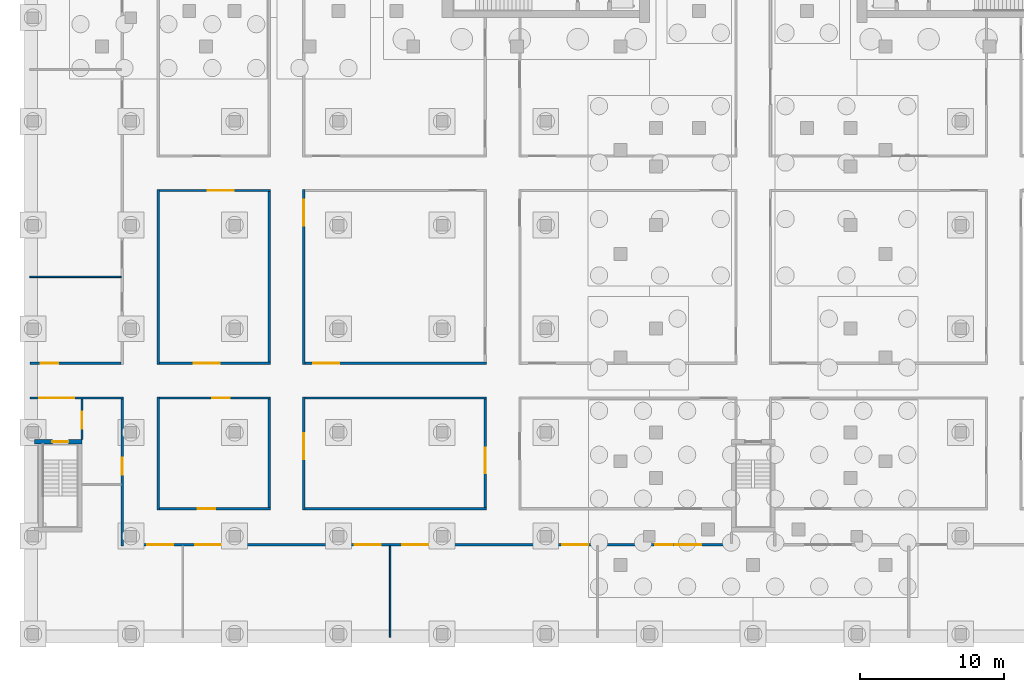
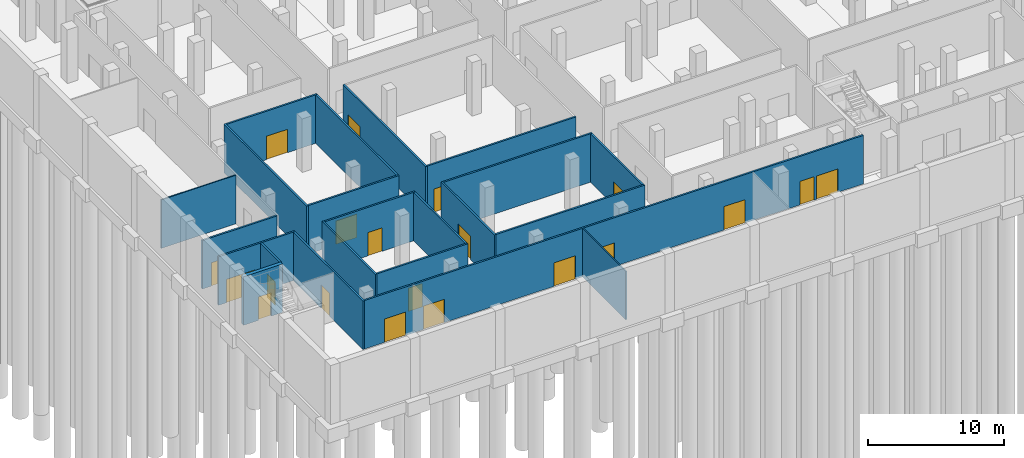
# One storey, part 6 of 54: 22 walls, 20 doors, 20 openings.
"""IFC4 building model written with IfcOpenShell, lengths in metres."""

import ifcopenshell
import ifcopenshell.guid

model = None  # the IFC model being written
_history = None  # IfcOwnerHistory: only IFC2X3 demands one
_inside = {}  # id of a spatial element -> (the spatial element, [elements in it])
_under = {}  # id of a project, library or spatial element -> (it, [spatial elements below it])
_declared = {}  # id of a project -> (the project, [libraries it declares])
_typed = {}  # id of a type object -> (the type object, [elements of that type])
_made_of = {}  # id of a material, layer set ... -> (it, [elements and type objects made of it])


def new_model(schema):
    """Start an empty IFC model of exactly this schema.

    Asked for "IFC4X3", IfcOpenShell would pick the latest addendum, in which some entities
    have other attributes; the version numbers below select the first issue.
    IFC2X3 requires an IfcOwnerHistory on every rooted entity: one is made here for all.
    """
    global model, _history
    if schema == "IFC4X3":
        model = ifcopenshell.file(schema_version=(4, 3, 0, 0))
    else:
        model = ifcopenshell.file(schema=schema)
    _inside.clear()
    _under.clear()
    _declared.clear()
    _typed.clear()
    _made_of.clear()
    _history = None
    if model.schema == "IFC2X3":
        org = make("IfcOrganization", Name="unknown")
        user = make(
            "IfcPersonAndOrganization",
            ThePerson=make("IfcPerson", FamilyName="unknown"),
            TheOrganization=org,
        )
        app = make(
            "IfcApplication",
            ApplicationDeveloper=org,
            Version="unknown",
            ApplicationFullName="unknown",
            ApplicationIdentifier="unknown",
        )
        _history = make(
            "IfcOwnerHistory",
            OwningUser=user,
            OwningApplication=app,
            ChangeAction="ADDED",
            CreationDate=0,
        )
    return model


def make(cls, **values):
    """One entity of the class cls with the attributes given. An attribute that is None is left unset."""
    return model.create_entity(
        cls, **{name: value for name, value in values.items() if value is not None}
    )


def rooted(cls, **values):
    """An entity with a GlobalId (a new one), such as an element, a storey or a relation."""
    return make(cls, GlobalId=ifcopenshell.guid.new(), OwnerHistory=_history, **values)


def si_unit(unit_type, name, prefix=None):
    """IfcSIUnit, for example si_unit("LENGTHUNIT", "METRE", prefix="MILLI")."""
    return make("IfcSIUnit", UnitType=unit_type, Prefix=prefix, Name=name)


def assignment(units):
    """IfcUnitAssignment: the units of a project."""
    return None if units is None else make("IfcUnitAssignment", Units=units)


def point(xyz):
    """IfcCartesianPoint."""
    return None if xyz is None else make("IfcCartesianPoint", Coordinates=xyz)


def direction(xyz):
    """IfcDirection."""
    return None if xyz is None else make("IfcDirection", DirectionRatios=xyz)


def frame(location, z_axis=None, x_axis=None):
    """IfcAxis2Placement3D, a coordinate frame: its origin and axes. An axis left out is left unset."""
    return make(
        "IfcAxis2Placement3D",
        Location=point(location),
        Axis=direction(z_axis),
        RefDirection=direction(x_axis),
    )


def frame_2d(location, x_axis=None):
    """IfcAxis2Placement2D, a coordinate frame in the plane: its origin and x axis."""
    return make(
        "IfcAxis2Placement2D", Location=point(location), RefDirection=direction(x_axis)
    )


def origin():
    """The frame at (0, 0, 0) with its axes left unset."""
    return frame((0.0, 0.0, 0.0))


def place(relative_to, where):
    """IfcLocalPlacement: puts the frame where relative to a parent placement (None: the world)."""
    return make(
        "IfcLocalPlacement", PlacementRelTo=relative_to, RelativePlacement=where
    )


def context(
    kind, dimensions, precision=None, world=None, true_north=None, identifier=None
):
    """IfcGeometricRepresentationContext, for example the 3D "Model" context."""
    return make(
        "IfcGeometricRepresentationContext",
        ContextIdentifier=identifier,
        ContextType=kind,
        CoordinateSpaceDimension=dimensions,
        Precision=precision,
        WorldCoordinateSystem=world,
        TrueNorth=true_north,
    )


def subcontext(parent, identifier, kind, view, scale=None):
    """IfcGeometricRepresentationSubContext, for example "Body" below "Model"."""
    return make(
        "IfcGeometricRepresentationSubContext",
        ContextIdentifier=identifier,
        ContextType=kind,
        ParentContext=parent,
        TargetScale=scale,
        TargetView=view,
    )


def project(units=None, contexts=None):
    """IfcProject with its units and contexts."""
    return rooted(
        "IfcProject",
        Name="project",
        RepresentationContexts=contexts,
        UnitsInContext=assignment(units),
    )


def spatial(cls, under=None, at=None, **own):
    """A site, building, storey or space (cls), placed at a placement, below another one or the project."""
    s = rooted(cls, ObjectPlacement=at, **own)
    if under is not None:
        _under.setdefault(under.id(), (under, []))[1].append(s)
    return s


def profile(cls, at=None, kind="AREA", **sizes):
    """A parametric profile (cls). Its sizes go by their IFC names, for example OverallWidth=200.0."""
    return make(cls, ProfileType=kind, Position=at, **sizes)


def rectangle(**sizes):
    """IfcRectangleProfileDef."""
    return profile("IfcRectangleProfileDef", **sizes)


def extrude(swept, where, along, depth):
    """IfcExtrudedAreaSolid: the profile swept, set in the frame where, extruded along a direction by depth."""
    return make(
        "IfcExtrudedAreaSolid",
        SweptArea=swept,
        Position=where,
        ExtrudedDirection=direction(along),
        Depth=depth,
    )


def shape(context_of_items, identifier, shape_type, items):
    """IfcShapeRepresentation: the items that make up one representation, for example the "Body"."""
    return make(
        "IfcShapeRepresentation",
        ContextOfItems=context_of_items,
        RepresentationIdentifier=identifier,
        RepresentationType=shape_type,
        Items=items,
    )


def material(Name=None, Category=None):
    """IfcMaterial."""
    return make("IfcMaterial", Name=Name, Category=Category)


def layer(
    of_material, thickness, ventilated=None, Name=None, Category=None, Priority=None
):
    """IfcMaterialLayer: one layer of a wall or slab, of a material (None: an air gap)."""
    return make(
        "IfcMaterialLayer",
        Material=of_material,
        LayerThickness=thickness,
        IsVentilated=ventilated,
        Name=Name,
        Category=Category,
        Priority=Priority,
    )


def layer_set(layers, Name=None):
    """IfcMaterialLayerSet."""
    return make("IfcMaterialLayerSet", MaterialLayers=layers, LayerSetName=Name)


def made_of(thing, what):
    """Note that an element or type object is made of a material, layer set ...; save() writes the relation."""
    if what is not None:
        _made_of.setdefault(what.id(), (what, []))[1].append(thing)
    return thing


def type_object(cls, material=None, **own):
    """A type object (cls), such as IfcWallType, which elements share."""
    return made_of(rooted(cls, **own), material)


def element(
    cls,
    number,
    at=None,
    inside=None,
    cuts=None,
    type_object=None,
    material=None,
    context=None,
    identifier="Body",
    shape_type=None,
    held_by="IfcProductDefinitionShape",
    body=None,
    shapes=None,
    **own,
):
    """One element of the class cls, such as IfcWall. Its Tag is "e" and its number.

    at: its placement. inside: the storey or other place that contains it. cuts: it is an
    opening in that element (IfcRelVoidsElement). A single representation is given by context,
    identifier, shape_type and body (its items); several are given by shapes. held_by: the class
    of the entity that holds the representations. save() writes the other relations.
    """
    e = rooted(cls, Tag="e%d" % number, ObjectPlacement=at, **own)
    if body is not None:
        shapes = [shape(context, identifier, shape_type, body)]
    if shapes is not None:
        e.Representation = make(held_by, Representations=shapes)
    if inside is not None:
        _inside.setdefault(inside.id(), (inside, []))[1].append(e)
    if cuts is not None:
        rooted(
            "IfcRelVoidsElement", RelatingBuildingElement=cuts, RelatedOpeningElement=e
        )
    if type_object is not None:
        _typed.setdefault(type_object.id(), (type_object, []))[1].append(e)
    return made_of(e, material)


def fill(opening, filler):
    """IfcRelFillsElement: the door or window that sits in an opening."""
    return rooted(
        "IfcRelFillsElement",
        RelatingOpeningElement=opening,
        RelatedBuildingElement=filler,
    )


def aggregate(whole, parts):
    """IfcRelAggregates: a whole, such as a stair, and the parts it consists of."""
    return rooted("IfcRelAggregates", RelatingObject=whole, RelatedObjects=parts)


def save(model, path):
    """Write the relations noted so far, then the file.

    IfcRelAggregates (storeys below a building ...), IfcRelContainedInSpatialStructure (elements
    in a storey), IfcRelDefinesByType, IfcRelAssociatesMaterial and IfcRelDeclares: one each for
    every whole, place, type object, material and project.
    """
    for whole, parts in _under.values():
        aggregate(whole, parts)
    for where, things in _inside.values():
        rooted(
            "IfcRelContainedInSpatialStructure",
            RelatedElements=things,
            RelatingStructure=where,
        )
    for kind, things in _typed.values():
        rooted("IfcRelDefinesByType", RelatedObjects=things, RelatingType=kind)
    for what, things in _made_of.values():
        rooted("IfcRelAssociatesMaterial", RelatedObjects=things, RelatingMaterial=what)
    for by, libraries in _declared.values():
        rooted("IfcRelDeclares", RelatingContext=by, RelatedDefinitions=libraries)
    model.write(path)


model = new_model("IFC4")

# Units and contexts
model_context = context("Model", 3, precision=1e-05, world=origin(), true_north=direction((0.0, 1.0)))
body_context = subcontext(model_context, "Body", "Model", "MODEL_VIEW")
ifc_project = project(units=[si_unit("LENGTHUNIT", "METRE"), si_unit("AREAUNIT", "SQUARE_METRE"), si_unit("VOLUMEUNIT", "CUBIC_METRE"), si_unit("PLANEANGLEUNIT", "RADIAN"), si_unit("MASSUNIT", "GRAM", prefix="KILO")], contexts=[model_context])

# Site, building, storey
site_placement = place(None, origin())
site = spatial("IfcSite", under=ifc_project, at=site_placement, CompositionType="ELEMENT")
building_placement = place(site_placement, origin())
building = spatial("IfcBuilding", under=site, at=building_placement, Name="Fustian Cross Tower", CompositionType="ELEMENT")
storey_placement = place(building_placement, frame((0.0, 0.0, -4.800048828125)))
storey = spatial("IfcBuildingStorey", under=building, at=storey_placement, Name="B1", CompositionType="ELEMENT", Elevation=-4.800048828125)

# Wall, opening, door
ifc_material_1 = material(Name="Plasterboard on steel stud", Category="steel")
ifc_layer_1 = layer(ifc_material_1, 0.14990234375)
ifc_layer_set_1 = layer_set([ifc_layer_1], Name="Plasterboard on steel stud")
wall_type_1 = type_object("IfcWallType", Name="COMPARTMENT WALL 150 EI 60", PredefinedType="PARTITIONING", material=ifc_layer_set_1)
wall_1_placement = place(storey_placement, frame((-50.219970703125, -33.60009765625, 0.0), z_axis=(0.0, 0.0, 1.0), x_axis=(1.0, 0.0, 0.0)))
wall_1 = element("IfcWall", 1, at=wall_1_placement, inside=storey, type_object=wall_type_1, Name="Partition 1", PredefinedType="PARTITIONING", context=body_context, shape_type="SweptSolid", body=[
    extrude(rectangle(XDim=6.494873046875, YDim=0.14990234375, at=frame_2d((3.24755859375, 0.0))), origin(), (0.0, 0.0, 1.0), 4.35009765625),
])
opening_1_placement = place(wall_1_placement, frame((0.669921875, 0.0, 0.0)))
opening_1 = element("IfcOpeningElement", 2, at=opening_1_placement, cuts=wall_1, Name="Opening D01045", PredefinedType="OPENING", context=body_context, shape_type="SweptSolid", body=[
    extrude(rectangle(XDim=2.39990234375, YDim=2.10009765625, at=frame_2d((1.199951171875, 1.050048828125))), frame((0.0, 0.0849609375, 0.0), z_axis=(0.0, -1.0, 0.0), x_axis=(1.0, 0.0, 0.0)), (0.0, 0.0, 1.0), 0.169921875),
])
ifc_material_2 = material(Name="Timber fire door set", Category="wood")
door_type_1 = type_object("IfcDoorType", Name="FIRE DOUBLE DOOR 2400 FD30S", OperationType="DOUBLE_DOOR_DOUBLE_SWING", PredefinedType="DOOR", material=ifc_material_2)
door_1_placement = place(opening_1_placement, frame((2.39990234375, 0.0, 0.0), z_axis=(0.0, 0.0, 1.0), x_axis=(-1.0, 0.0, 0.0)))
door_1 = element("IfcDoor", 3, at=door_1_placement, inside=storey, type_object=door_type_1, Name="Door D01045", OperationType="DOUBLE_DOOR_DOUBLE_SWING", OverallHeight=2.10009765625, OverallWidth=2.39990234375, PredefinedType="DOOR", context=body_context, shape_type="SweptSolid", body=[
    extrude(rectangle(XDim=2.39990234375, YDim=2.10009765625, at=frame_2d((1.199951171875, 1.050048828125))), frame((0.0, 0.02490234375, 0.0), z_axis=(0.0, -1.0, 0.0), x_axis=(1.0, 0.0, 0.0)), (0.0, 0.0, 1.0), 0.050048828125),
])
fill(opening_1, door_1)

wall_2_placement = place(storey_placement, frame((-50.219970703125, -31.199951171875, 0.0), z_axis=(0.0, 0.0, 1.0), x_axis=(1.0, 0.0, 0.0)))
wall_2 = element("IfcWall", 4, at=wall_2_placement, inside=storey, type_object=wall_type_1, Name="Partition 2", PredefinedType="PARTITIONING", context=body_context, shape_type="SweptSolid", body=[
    extrude(rectangle(XDim=6.344970703125, YDim=0.14990234375, at=frame_2d((3.17236328125, 0.0))), origin(), (0.0, 0.0, 1.0), 4.35009765625),
])
opening_2_placement = place(wall_2_placement, frame((0.77001953125, 0.0, 0.0)))
opening_2 = element("IfcOpeningElement", 5, at=opening_2_placement, cuts=wall_2, Name="Opening D01007", PredefinedType="OPENING", context=body_context, shape_type="SweptSolid", body=[
    extrude(rectangle(XDim=1.199951171875, YDim=2.10009765625, at=frame_2d((0.60009765625, 1.050048828125))), frame((0.0, 0.0849609375, 0.0), z_axis=(0.0, -1.0, 0.0), x_axis=(1.0, 0.0, 0.0)), (0.0, 0.0, 1.0), 0.169921875),
])
ifc_material_3 = material(Name="Timber fire door set", Category="wood")
door_type_2 = type_object("IfcDoorType", Name="FIRE SWING DOOR 1200 FD30S", OperationType="SINGLE_SWING_LEFT", PredefinedType="DOOR", material=ifc_material_3)
door_2_placement = place(opening_2_placement, origin())
door_2 = element("IfcDoor", 6, at=door_2_placement, inside=storey, type_object=door_type_2, Name="Door D01007", OperationType="SINGLE_SWING_LEFT", OverallHeight=2.10009765625, OverallWidth=1.199951171875, PredefinedType="DOOR", context=body_context, shape_type="SweptSolid", body=[
    extrude(rectangle(XDim=1.199951171875, YDim=2.10009765625, at=frame_2d((0.60009765625, 1.050048828125))), frame((0.0, 0.02490234375, 0.0), z_axis=(0.0, -1.0, 0.0), x_axis=(1.0, 0.0, 0.0)), (0.0, 0.0, 1.0), 0.050048828125),
])
fill(opening_2, door_2)

wall_3_placement = place(storey_placement, frame((-46.60009765625, -36.5, 0.0), z_axis=(0.0, 0.0, 1.0), x_axis=(0.0, 1.0, 0.0)))
wall_3 = element("IfcWall", 7, at=wall_3_placement, inside=storey, type_object=wall_type_1, Name="Partition 10", PredefinedType="PARTITIONING", context=body_context, shape_type="SweptSolid", body=[
    extrude(rectangle(XDim=2.824951171875, YDim=0.14990234375, at=frame_2d((1.41259765625, 0.0))), origin(), (0.0, 0.0, 1.0), 4.35009765625),
])
opening_3_placement = place(wall_3_placement, frame((0.75, 0.0, 0.0)))
opening_3 = element("IfcOpeningElement", 8, at=opening_3_placement, cuts=wall_3, Name="Opening D01011", PredefinedType="OPENING", context=body_context, shape_type="SweptSolid", body=[
    extrude(rectangle(XDim=1.199951171875, YDim=2.10009765625, at=frame_2d((0.60009765625, 1.050048828125))), frame((0.0, 0.0849609375, 0.0), z_axis=(0.0, -1.0, 0.0), x_axis=(1.0, 0.0, 0.0)), (0.0, 0.0, 1.0), 0.169921875),
])
door_3_placement = place(opening_3_placement, frame((1.199951171875, 0.0, 0.0), z_axis=(0.0, 0.0, 1.0), x_axis=(-1.0, 0.0, 0.0)))
door_3 = element("IfcDoor", 9, at=door_3_placement, inside=storey, type_object=door_type_2, Name="Door D01011", OperationType="SINGLE_SWING_LEFT", OverallHeight=2.10009765625, OverallWidth=1.199951171875, PredefinedType="DOOR", context=body_context, shape_type="SweptSolid", body=[
    extrude(rectangle(XDim=1.199951171875, YDim=2.10009765625, at=frame_2d((0.60009765625, 1.050048828125))), frame((0.0, 0.02490234375, 0.0), z_axis=(0.0, -1.0, 0.0), x_axis=(1.0, 0.0, 0.0)), (0.0, 0.0, 1.0), 0.050048828125),
])
fill(opening_3, door_3)

wall_4_placement = place(storey_placement, frame((-43.800048828125, -43.875, 0.0), z_axis=(0.0, 0.0, 1.0), x_axis=(0.0, 1.0, 0.0)))
wall_4 = element("IfcWall", 10, at=wall_4_placement, inside=storey, type_object=wall_type_1, Name="Partition 13", PredefinedType="PARTITIONING", context=body_context, shape_type="SweptSolid", body=[
    extrude(rectangle(XDim=10.199951171875, YDim=0.14990234375, at=frame_2d((5.10009765625, 0.0))), origin(), (0.0, 0.0, 1.0), 4.35009765625),
])
opening_4_placement = place(wall_4_placement, frame((4.925048828125, 0.0, 0.0)))
opening_4 = element("IfcOpeningElement", 11, at=opening_4_placement, cuts=wall_4, Name="Opening D01012", PredefinedType="OPENING", context=body_context, shape_type="SweptSolid", body=[
    extrude(rectangle(XDim=1.199951171875, YDim=2.10009765625, at=frame_2d((0.60009765625, 1.050048828125))), frame((0.0, 0.0849609375, 0.0), z_axis=(0.0, -1.0, 0.0), x_axis=(1.0, 0.0, 0.0)), (0.0, 0.0, 1.0), 0.169921875),
])
door_4_placement = place(opening_4_placement, origin())
door_4 = element("IfcDoor", 12, at=door_4_placement, inside=storey, type_object=door_type_2, Name="Door D01012", OperationType="SINGLE_SWING_LEFT", OverallHeight=2.10009765625, OverallWidth=1.199951171875, PredefinedType="DOOR", context=body_context, shape_type="SweptSolid", body=[
    extrude(rectangle(XDim=1.199951171875, YDim=2.10009765625, at=frame_2d((0.60009765625, 1.050048828125))), frame((0.0, 0.02490234375, 0.0), z_axis=(0.0, -1.0, 0.0), x_axis=(1.0, 0.0, 0.0)), (0.0, 0.0, 1.0), 0.050048828125),
])
fill(opening_4, door_4)

# Wall, openings, doors
wall_5_placement = place(storey_placement, frame((-43.72509765625, -43.800048828125, 0.0), z_axis=(0.0, 0.0, 1.0), x_axis=(1.0, 0.0, 0.0)))
wall_5 = element("IfcWall", 13, at=wall_5_placement, inside=storey, type_object=wall_type_1, Name="Partition 14", PredefinedType="PARTITIONING", context=body_context, shape_type="SweptSolid", body=[
    extrude(rectangle(XDim=42.300048828125, YDim=0.14990234375, at=frame_2d((21.14990234375, 0.0))), origin(), (0.0, 0.0, 1.0), 4.35009765625),
])
opening_5_placement = place(wall_5_placement, frame((1.675048828125, 0.0, 0.0)))
opening_5 = element("IfcOpeningElement", 14, at=opening_5_placement, cuts=wall_5, Name="Opening D01028", PredefinedType="OPENING", context=body_context, shape_type="SweptSolid", body=[
    extrude(rectangle(XDim=1.800048828125, YDim=2.10009765625, at=frame_2d((0.89990234375, 1.050048828125))), frame((0.0, 0.0849609375, 0.0), z_axis=(0.0, -1.0, 0.0), x_axis=(1.0, 0.0, 0.0)), (0.0, 0.0, 1.0), 0.169921875),
])
opening_6_placement = place(wall_5_placement, frame((4.97509765625, 0.0, 0.0)))
opening_6 = element("IfcOpeningElement", 15, at=opening_6_placement, cuts=wall_5, Name="Opening D01030", PredefinedType="OPENING", context=body_context, shape_type="SweptSolid", body=[
    extrude(rectangle(XDim=1.800048828125, YDim=2.10009765625, at=frame_2d((0.89990234375, 1.050048828125))), frame((0.0, 0.0849609375, 0.0), z_axis=(0.0, -1.0, 0.0), x_axis=(1.0, 0.0, 0.0)), (0.0, 0.0, 1.0), 0.169921875),
])
opening_7_placement = place(wall_5_placement, frame((16.074951171875, 0.0, 0.0)))
opening_7 = element("IfcOpeningElement", 16, at=opening_7_placement, cuts=wall_5, Name="Opening D01031", PredefinedType="OPENING", context=body_context, shape_type="SweptSolid", body=[
    extrude(rectangle(XDim=1.800048828125, YDim=2.10009765625, at=frame_2d((0.89990234375, 1.050048828125))), frame((0.0, 0.0849609375, 0.0), z_axis=(0.0, -1.0, 0.0), x_axis=(1.0, 0.0, 0.0)), (0.0, 0.0, 1.0), 0.169921875),
])
opening_8_placement = place(wall_5_placement, frame((19.375, 0.0, 0.0)))
opening_8 = element("IfcOpeningElement", 17, at=opening_8_placement, cuts=wall_5, Name="Opening D01032", PredefinedType="OPENING", context=body_context, shape_type="SweptSolid", body=[
    extrude(rectangle(XDim=1.800048828125, YDim=2.10009765625, at=frame_2d((0.89990234375, 1.050048828125))), frame((0.0, 0.0849609375, 0.0), z_axis=(0.0, -1.0, 0.0), x_axis=(1.0, 0.0, 0.0)), (0.0, 0.0, 1.0), 0.169921875),
])
opening_9_placement = place(wall_5_placement, frame((30.47509765625, 0.0, 0.0)))
opening_9 = element("IfcOpeningElement", 18, at=opening_9_placement, cuts=wall_5, Name="Opening D01033", PredefinedType="OPENING", context=body_context, shape_type="SweptSolid", body=[
    extrude(rectangle(XDim=1.800048828125, YDim=2.10009765625, at=frame_2d((0.89990234375, 1.050048828125))), frame((0.0, 0.0849609375, 0.0), z_axis=(0.0, -1.0, 0.0), x_axis=(1.0, 0.0, 0.0)), (0.0, 0.0, 1.0), 0.169921875),
])
opening_10_placement = place(wall_5_placement, frame((36.925048828125, 0.0, 0.0)))
opening_10 = element("IfcOpeningElement", 19, at=opening_10_placement, cuts=wall_5, Name="Opening D01034", PredefinedType="OPENING", context=body_context, shape_type="SweptSolid", body=[
    extrude(rectangle(XDim=1.199951171875, YDim=2.10009765625, at=frame_2d((0.60009765625, 1.050048828125))), frame((0.0, 0.0849609375, 0.0), z_axis=(0.0, -1.0, 0.0), x_axis=(1.0, 0.0, 0.0)), (0.0, 0.0, 1.0), 0.169921875),
])
opening_11_placement = place(wall_5_placement, frame((38.324951171875, 0.0, 0.0)))
opening_11 = element("IfcOpeningElement", 20, at=opening_11_placement, cuts=wall_5, Name="Opening D01035", PredefinedType="OPENING", context=body_context, shape_type="SweptSolid", body=[
    extrude(rectangle(XDim=1.800048828125, YDim=2.10009765625, at=frame_2d((0.89990234375, 1.050048828125))), frame((0.0, 0.0849609375, 0.0), z_axis=(0.0, -1.0, 0.0), x_axis=(1.0, 0.0, 0.0)), (0.0, 0.0, 1.0), 0.169921875),
])
ifc_material_4 = material(Name="Timber fire door set", Category="wood")
door_type_3 = type_object("IfcDoorType", Name="FIRE DOUBLE DOOR 1800 FD30S", OperationType="DOUBLE_DOOR_DOUBLE_SWING", PredefinedType="DOOR", material=ifc_material_4)
door_5_placement = place(opening_5_placement, origin())
door_5 = element("IfcDoor", 21, at=door_5_placement, inside=storey, type_object=door_type_3, Name="Door D01028", OperationType="DOUBLE_DOOR_DOUBLE_SWING", OverallHeight=2.10009765625, OverallWidth=1.800048828125, PredefinedType="DOOR", context=body_context, shape_type="SweptSolid", body=[
    extrude(rectangle(XDim=1.800048828125, YDim=2.10009765625, at=frame_2d((0.89990234375, 1.050048828125))), frame((0.0, 0.02490234375, 0.0), z_axis=(0.0, -1.0, 0.0), x_axis=(1.0, 0.0, 0.0)), (0.0, 0.0, 1.0), 0.050048828125),
])
fill(opening_5, door_5)
door_6_placement = place(opening_6_placement, origin())
door_6 = element("IfcDoor", 22, at=door_6_placement, inside=storey, type_object=door_type_3, Name="Door D01030", OperationType="DOUBLE_DOOR_DOUBLE_SWING", OverallHeight=2.10009765625, OverallWidth=1.800048828125, PredefinedType="DOOR", context=body_context, shape_type="SweptSolid", body=[
    extrude(rectangle(XDim=1.800048828125, YDim=2.10009765625, at=frame_2d((0.89990234375, 1.050048828125))), frame((0.0, 0.02490234375, 0.0), z_axis=(0.0, -1.0, 0.0), x_axis=(1.0, 0.0, 0.0)), (0.0, 0.0, 1.0), 0.050048828125),
])
fill(opening_6, door_6)
door_7_placement = place(opening_7_placement, origin())
door_7 = element("IfcDoor", 23, at=door_7_placement, inside=storey, type_object=door_type_3, Name="Door D01031", OperationType="DOUBLE_DOOR_DOUBLE_SWING", OverallHeight=2.10009765625, OverallWidth=1.800048828125, PredefinedType="DOOR", context=body_context, shape_type="SweptSolid", body=[
    extrude(rectangle(XDim=1.800048828125, YDim=2.10009765625, at=frame_2d((0.89990234375, 1.050048828125))), frame((0.0, 0.02490234375, 0.0), z_axis=(0.0, -1.0, 0.0), x_axis=(1.0, 0.0, 0.0)), (0.0, 0.0, 1.0), 0.050048828125),
])
fill(opening_7, door_7)
door_8_placement = place(opening_8_placement, origin())
door_8 = element("IfcDoor", 24, at=door_8_placement, inside=storey, type_object=door_type_3, Name="Door D01032", OperationType="DOUBLE_DOOR_DOUBLE_SWING", OverallHeight=2.10009765625, OverallWidth=1.800048828125, PredefinedType="DOOR", context=body_context, shape_type="SweptSolid", body=[
    extrude(rectangle(XDim=1.800048828125, YDim=2.10009765625, at=frame_2d((0.89990234375, 1.050048828125))), frame((0.0, 0.02490234375, 0.0), z_axis=(0.0, -1.0, 0.0), x_axis=(1.0, 0.0, 0.0)), (0.0, 0.0, 1.0), 0.050048828125),
])
fill(opening_8, door_8)
door_9_placement = place(opening_9_placement, origin())
door_9 = element("IfcDoor", 25, at=door_9_placement, inside=storey, type_object=door_type_3, Name="Door D01033", OperationType="DOUBLE_DOOR_DOUBLE_SWING", OverallHeight=2.10009765625, OverallWidth=1.800048828125, PredefinedType="DOOR", context=body_context, shape_type="SweptSolid", body=[
    extrude(rectangle(XDim=1.800048828125, YDim=2.10009765625, at=frame_2d((0.89990234375, 1.050048828125))), frame((0.0, 0.02490234375, 0.0), z_axis=(0.0, -1.0, 0.0), x_axis=(1.0, 0.0, 0.0)), (0.0, 0.0, 1.0), 0.050048828125),
])
fill(opening_9, door_9)
door_10_placement = place(opening_11_placement, origin())
door_10 = element("IfcDoor", 26, at=door_10_placement, inside=storey, type_object=door_type_3, Name="Door D01035", OperationType="DOUBLE_DOOR_DOUBLE_SWING", OverallHeight=2.10009765625, OverallWidth=1.800048828125, PredefinedType="DOOR", context=body_context, shape_type="SweptSolid", body=[
    extrude(rectangle(XDim=1.800048828125, YDim=2.10009765625, at=frame_2d((0.89990234375, 1.050048828125))), frame((0.0, 0.02490234375, 0.0), z_axis=(0.0, -1.0, 0.0), x_axis=(1.0, 0.0, 0.0)), (0.0, 0.0, 1.0), 0.050048828125),
])
fill(opening_11, door_10)
door_11_placement = place(opening_10_placement, frame((1.199951171875, 0.0, 0.0), z_axis=(0.0, 0.0, 1.0), x_axis=(-1.0, 0.0, 0.0)))
door_11 = element("IfcDoor", 27, at=door_11_placement, inside=storey, type_object=door_type_2, Name="Door D01034", OperationType="SINGLE_SWING_RIGHT", OverallHeight=2.10009765625, OverallWidth=1.199951171875, PredefinedType="DOOR", context=body_context, shape_type="SweptSolid", body=[
    extrude(rectangle(XDim=1.199951171875, YDim=2.10009765625, at=frame_2d((0.60009765625, 1.050048828125))), frame((0.0, 0.02490234375, 0.0), z_axis=(0.0, -1.0, 0.0), x_axis=(1.0, 0.0, 0.0)), (0.0, 0.0, 1.0), 0.050048828125),
])
fill(opening_10, door_11)

# Wall
wall_6_placement = place(storey_placement, frame((-41.300048828125, -41.375, 0.0), z_axis=(0.0, 0.0, 1.0), x_axis=(0.0, 1.0, 0.0)))
element("IfcWall", 28, at=wall_6_placement, inside=storey, type_object=wall_type_1, Name="Partition 21", PredefinedType="PARTITIONING", context=body_context, shape_type="SweptSolid", body=[
    extrude(rectangle(XDim=7.85009765625, YDim=0.14990234375, at=frame_2d((3.925048828125, 0.0))), origin(), (0.0, 0.0, 1.0), 4.35009765625),
])

# Wall, opening, door
wall_7_placement = place(storey_placement, frame((-41.22509765625, -41.300048828125, 0.0), z_axis=(0.0, 0.0, 1.0), x_axis=(1.0, 0.0, 0.0)))
wall_7 = element("IfcWall", 29, at=wall_7_placement, inside=storey, type_object=wall_type_1, Name="Partition 22", PredefinedType="PARTITIONING", context=body_context, shape_type="SweptSolid", body=[
    extrude(rectangle(XDim=7.7001953125, YDim=0.14990234375, at=frame_2d((3.85009765625, 0.0))), origin(), (0.0, 0.0, 1.0), 4.35009765625),
])
opening_12_placement = place(wall_7_placement, frame((2.675048828125, 0.0, 0.0)))
opening_12 = element("IfcOpeningElement", 30, at=opening_12_placement, cuts=wall_7, Name="Opening D01013", PredefinedType="OPENING", context=body_context, shape_type="SweptSolid", body=[
    extrude(rectangle(XDim=1.199951171875, YDim=2.10009765625, at=frame_2d((0.60009765625, 1.050048828125))), frame((0.0, 0.0849609375, 0.0), z_axis=(0.0, -1.0, 0.0), x_axis=(1.0, 0.0, 0.0)), (0.0, 0.0, 1.0), 0.169921875),
])
door_12_placement = place(opening_12_placement, origin())
door_12 = element("IfcDoor", 31, at=door_12_placement, inside=storey, type_object=door_type_2, Name="Door D01013", OperationType="SINGLE_SWING_LEFT", OverallHeight=2.10009765625, OverallWidth=1.199951171875, PredefinedType="DOOR", context=body_context, shape_type="SweptSolid", body=[
    extrude(rectangle(XDim=1.199951171875, YDim=2.10009765625, at=frame_2d((0.60009765625, 1.050048828125))), frame((0.0, 0.02490234375, 0.0), z_axis=(0.0, -1.0, 0.0), x_axis=(1.0, 0.0, 0.0)), (0.0, 0.0, 1.0), 0.050048828125),
])
fill(opening_12, door_12)

wall_8_placement = place(storey_placement, frame((-41.22509765625, -33.60009765625, 0.0), z_axis=(0.0, 0.0, 1.0), x_axis=(1.0, 0.0, 0.0)))
wall_8 = element("IfcWall", 32, at=wall_8_placement, inside=storey, type_object=wall_type_1, Name="Partition 23", PredefinedType="PARTITIONING", context=body_context, shape_type="SweptSolid", body=[
    extrude(rectangle(XDim=7.7001953125, YDim=0.14990234375, at=frame_2d((3.85009765625, 0.0))), origin(), (0.0, 0.0, 1.0), 4.35009765625),
])
opening_13_placement = place(wall_8_placement, frame((3.675048828125, 0.0, 0.0)))
opening_13 = element("IfcOpeningElement", 33, at=opening_13_placement, cuts=wall_8, Name="Opening D01014", PredefinedType="OPENING", context=body_context, shape_type="SweptSolid", body=[
    extrude(rectangle(XDim=1.199951171875, YDim=2.10009765625, at=frame_2d((0.60009765625, 1.050048828125))), frame((0.0, 0.0849609375, 0.0), z_axis=(0.0, -1.0, 0.0), x_axis=(1.0, 0.0, 0.0)), (0.0, 0.0, 1.0), 0.169921875),
])
door_13_placement = place(opening_13_placement, frame((1.199951171875, 0.0, 0.0), z_axis=(0.0, 0.0, 1.0), x_axis=(-1.0, 0.0, 0.0)))
door_13 = element("IfcDoor", 34, at=door_13_placement, inside=storey, type_object=door_type_2, Name="Door D01014", OperationType="SINGLE_SWING_LEFT", OverallHeight=2.10009765625, OverallWidth=1.199951171875, PredefinedType="DOOR", context=body_context, shape_type="SweptSolid", body=[
    extrude(rectangle(XDim=1.199951171875, YDim=2.10009765625, at=frame_2d((0.60009765625, 1.050048828125))), frame((0.0, 0.02490234375, 0.0), z_axis=(0.0, -1.0, 0.0), x_axis=(1.0, 0.0, 0.0)), (0.0, 0.0, 1.0), 0.050048828125),
])
fill(opening_13, door_13)

# Wall
wall_9_placement = place(storey_placement, frame((-41.300048828125, -31.27490234375, 0.0), z_axis=(0.0, 0.0, 1.0), x_axis=(0.0, 1.0, 0.0)))
element("IfcWall", 35, at=wall_9_placement, inside=storey, type_object=wall_type_1, Name="Partition 24", PredefinedType="PARTITIONING", context=body_context, shape_type="SweptSolid", body=[
    extrude(rectangle(XDim=12.14990234375, YDim=0.14990234375, at=frame_2d((6.074951171875, 0.0))), origin(), (0.0, 0.0, 1.0), 4.35009765625),
])

# Wall, opening, door
wall_10_placement = place(storey_placement, frame((-41.22509765625, -31.199951171875, 0.0), z_axis=(0.0, 0.0, 1.0), x_axis=(1.0, 0.0, 0.0)))
wall_10 = element("IfcWall", 36, at=wall_10_placement, inside=storey, type_object=wall_type_1, Name="Partition 25", PredefinedType="PARTITIONING", context=body_context, shape_type="SweptSolid", body=[
    extrude(rectangle(XDim=7.7001953125, YDim=0.14990234375, at=frame_2d((3.85009765625, 0.0))), origin(), (0.0, 0.0, 1.0), 4.35009765625),
])
opening_14_placement = place(wall_10_placement, frame((2.375, 0.0, 0.0)))
opening_14 = element("IfcOpeningElement", 37, at=opening_14_placement, cuts=wall_10, Name="Opening D01179", PredefinedType="OPENING", context=body_context, shape_type="SweptSolid", body=[
    extrude(rectangle(XDim=1.800048828125, YDim=2.10009765625, at=frame_2d((0.89990234375, 1.050048828125))), frame((0.0, 0.0849609375, 0.0), z_axis=(0.0, -1.0, 0.0), x_axis=(1.0, 0.0, 0.0)), (0.0, 0.0, 1.0), 0.169921875),
])
door_14_placement = place(opening_14_placement, frame((1.800048828125, 0.0, 0.0), z_axis=(0.0, 0.0, 1.0), x_axis=(-1.0, 0.0, 0.0)))
door_14 = element("IfcDoor", 38, at=door_14_placement, inside=storey, type_object=door_type_3, Name="Door D01179", OperationType="DOUBLE_DOOR_DOUBLE_SWING", OverallHeight=2.10009765625, OverallWidth=1.800048828125, PredefinedType="DOOR", context=body_context, shape_type="SweptSolid", body=[
    extrude(rectangle(XDim=1.800048828125, YDim=2.10009765625, at=frame_2d((0.89990234375, 1.050048828125))), frame((0.0, 0.02490234375, 0.0), z_axis=(0.0, -1.0, 0.0), x_axis=(1.0, 0.0, 0.0)), (0.0, 0.0, 1.0), 0.050048828125),
])
fill(opening_14, door_14)

wall_11_placement = place(storey_placement, frame((-41.22509765625, -19.199951171875, 0.0), z_axis=(0.0, 0.0, 1.0), x_axis=(1.0, 0.0, 0.0)))
wall_11 = element("IfcWall", 39, at=wall_11_placement, inside=storey, type_object=wall_type_1, Name="Partition 26", PredefinedType="PARTITIONING", context=body_context, shape_type="SweptSolid", body=[
    extrude(rectangle(XDim=7.7001953125, YDim=0.14990234375, at=frame_2d((3.85009765625, 0.0))), origin(), (0.0, 0.0, 1.0), 4.35009765625),
])
opening_15_placement = place(wall_11_placement, frame((3.375, 0.0, 0.0)))
opening_15 = element("IfcOpeningElement", 40, at=opening_15_placement, cuts=wall_11, Name="Opening D01180", PredefinedType="OPENING", context=body_context, shape_type="SweptSolid", body=[
    extrude(rectangle(XDim=1.800048828125, YDim=2.10009765625, at=frame_2d((0.89990234375, 1.050048828125))), frame((0.0, 0.0849609375, 0.0), z_axis=(0.0, -1.0, 0.0), x_axis=(1.0, 0.0, 0.0)), (0.0, 0.0, 1.0), 0.169921875),
])
door_15_placement = place(opening_15_placement, origin())
door_15 = element("IfcDoor", 41, at=door_15_placement, inside=storey, type_object=door_type_3, Name="Door D01180", OperationType="DOUBLE_DOOR_DOUBLE_SWING", OverallHeight=2.10009765625, OverallWidth=1.800048828125, PredefinedType="DOOR", context=body_context, shape_type="SweptSolid", body=[
    extrude(rectangle(XDim=1.800048828125, YDim=2.10009765625, at=frame_2d((0.89990234375, 1.050048828125))), frame((0.0, 0.02490234375, 0.0), z_axis=(0.0, -1.0, 0.0), x_axis=(1.0, 0.0, 0.0)), (0.0, 0.0, 1.0), 0.050048828125),
])
fill(opening_15, door_15)

# Walls
wall_12_placement = place(storey_placement, frame((-33.60009765625, -41.22509765625, 0.0), z_axis=(0.0, 0.0, 1.0), x_axis=(0.0, 1.0, 0.0)))
element("IfcWall", 42, at=wall_12_placement, inside=storey, type_object=wall_type_1, Name="Partition 41", PredefinedType="PARTITIONING", context=body_context, shape_type="SweptSolid", body=[
    extrude(rectangle(XDim=7.550048828125, YDim=0.14990234375, at=frame_2d((3.77490234375, 0.0))), origin(), (0.0, 0.0, 1.0), 4.35009765625),
])
wall_13_placement = place(storey_placement, frame((-33.60009765625, -31.125, 0.0), z_axis=(0.0, 0.0, 1.0), x_axis=(0.0, 1.0, 0.0)))
element("IfcWall", 43, at=wall_13_placement, inside=storey, type_object=wall_type_1, Name="Partition 42", PredefinedType="PARTITIONING", context=body_context, shape_type="SweptSolid", body=[
    extrude(rectangle(XDim=11.85009765625, YDim=0.14990234375, at=frame_2d((5.925048828125, 0.0))), origin(), (0.0, 0.0, 1.0), 4.35009765625),
])

# Wall, opening, door
wall_14_placement = place(storey_placement, frame((-31.199951171875, -41.375, 0.0), z_axis=(0.0, 0.0, 1.0), x_axis=(0.0, 1.0, 0.0)))
wall_14 = element("IfcWall", 44, at=wall_14_placement, inside=storey, type_object=wall_type_1, Name="Partition 47", PredefinedType="PARTITIONING", context=body_context, shape_type="SweptSolid", body=[
    extrude(rectangle(XDim=7.85009765625, YDim=0.14990234375, at=frame_2d((3.925048828125, 0.0))), origin(), (0.0, 0.0, 1.0), 4.35009765625),
])
opening_16_placement = place(wall_14_placement, frame((3.52490234375, 0.0, 0.0)))
opening_16 = element("IfcOpeningElement", 45, at=opening_16_placement, cuts=wall_14, Name="Opening D01015", PredefinedType="OPENING", context=body_context, shape_type="SweptSolid", body=[
    extrude(rectangle(XDim=1.800048828125, YDim=2.10009765625, at=frame_2d((0.89990234375, 1.050048828125))), frame((0.0, 0.0849609375, 0.0), z_axis=(0.0, -1.0, 0.0), x_axis=(1.0, 0.0, 0.0)), (0.0, 0.0, 1.0), 0.169921875),
])
door_16_placement = place(opening_16_placement, origin())
door_16 = element("IfcDoor", 46, at=door_16_placement, inside=storey, type_object=door_type_3, Name="Door D01015", OperationType="DOUBLE_DOOR_DOUBLE_SWING", OverallHeight=2.10009765625, OverallWidth=1.800048828125, PredefinedType="DOOR", context=body_context, shape_type="SweptSolid", body=[
    extrude(rectangle(XDim=1.800048828125, YDim=2.10009765625, at=frame_2d((0.89990234375, 1.050048828125))), frame((0.0, 0.02490234375, 0.0), z_axis=(0.0, -1.0, 0.0), x_axis=(1.0, 0.0, 0.0)), (0.0, 0.0, 1.0), 0.050048828125),
])
fill(opening_16, door_16)

# Walls
for number, where, z_axis, x_axis, name in (
    (47, (-31.125, -41.300048828125, 0.0), (0.0, 0.0, 1.0), (1.0, 0.0, 0.0), "Partition 48"),
    (48, (-31.125, -33.60009765625, 0.0), (0.0, 0.0, 1.0), (1.0, 0.0, 0.0), "Partition 49"),
):
    element("IfcWall", number, at=place(storey_placement, frame(where, z_axis=z_axis, x_axis=x_axis)), inside=storey, type_object=wall_type_1, Name=name, PredefinedType="PARTITIONING", context=body_context, shape_type="SweptSolid", body=[
        extrude(rectangle(XDim=12.60009765625, YDim=0.14990234375, at=frame_2d((6.300048828125, 0.0))), origin(), (0.0, 0.0, 1.0), 4.35009765625),
    ])

# Wall, opening, door
wall_15_placement = place(storey_placement, frame((-31.199951171875, -31.27490234375, 0.0), z_axis=(0.0, 0.0, 1.0), x_axis=(0.0, 1.0, 0.0)))
wall_15 = element("IfcWall", 49, at=wall_15_placement, inside=storey, type_object=wall_type_1, Name="Partition 50", PredefinedType="PARTITIONING", context=body_context, shape_type="SweptSolid", body=[
    extrude(rectangle(XDim=12.14990234375, YDim=0.14990234375, at=frame_2d((6.074951171875, 0.0))), origin(), (0.0, 0.0, 1.0), 4.35009765625),
])
opening_17_placement = place(wall_15_placement, frame((9.625, 0.0, 0.0)))
opening_17 = element("IfcOpeningElement", 50, at=opening_17_placement, cuts=wall_15, Name="Opening D01095", PredefinedType="OPENING", context=body_context, shape_type="SweptSolid", body=[
    extrude(rectangle(XDim=1.800048828125, YDim=2.10009765625, at=frame_2d((0.89990234375, 1.050048828125))), frame((0.0, 0.0849609375, 0.0), z_axis=(0.0, -1.0, 0.0), x_axis=(1.0, 0.0, 0.0)), (0.0, 0.0, 1.0), 0.169921875),
])
ifc_material_5 = material(Name="Timber fire door set", Category="wood")
door_type_4 = type_object("IfcDoorType", Name="FIRE DOUBLE DOOR 1800 FD60S", OperationType="DOUBLE_DOOR_DOUBLE_SWING", PredefinedType="DOOR", material=ifc_material_5)
door_17_placement = place(opening_17_placement, origin())
door_17 = element("IfcDoor", 51, at=door_17_placement, inside=storey, type_object=door_type_4, Name="Door D01095", OperationType="DOUBLE_DOOR_DOUBLE_SWING", OverallHeight=2.10009765625, OverallWidth=1.800048828125, PredefinedType="DOOR", context=body_context, shape_type="SweptSolid", body=[
    extrude(rectangle(XDim=1.800048828125, YDim=2.10009765625, at=frame_2d((0.89990234375, 1.050048828125))), frame((0.0, 0.02490234375, 0.0), z_axis=(0.0, -1.0, 0.0), x_axis=(1.0, 0.0, 0.0)), (0.0, 0.0, 1.0), 0.050048828125),
])
fill(opening_17, door_17)

wall_16_placement = place(storey_placement, frame((-31.125, -31.199951171875, 0.0), z_axis=(0.0, 0.0, 1.0), x_axis=(1.0, 0.0, 0.0)))
wall_16 = element("IfcWall", 52, at=wall_16_placement, inside=storey, type_object=wall_type_1, Name="Partition 51", PredefinedType="PARTITIONING", context=body_context, shape_type="SweptSolid", body=[
    extrude(rectangle(XDim=12.60009765625, YDim=0.14990234375, at=frame_2d((6.300048828125, 0.0))), origin(), (0.0, 0.0, 1.0), 4.35009765625),
])
opening_18_placement = place(wall_16_placement, frame((0.574951171875, 0.0, 0.0)))
opening_18 = element("IfcOpeningElement", 53, at=opening_18_placement, cuts=wall_16, Name="Opening D01096", PredefinedType="OPENING", context=body_context, shape_type="SweptSolid", body=[
    extrude(rectangle(XDim=1.800048828125, YDim=2.10009765625, at=frame_2d((0.89990234375, 1.050048828125))), frame((0.0, 0.0849609375, 0.0), z_axis=(0.0, -1.0, 0.0), x_axis=(1.0, 0.0, 0.0)), (0.0, 0.0, 1.0), 0.169921875),
])
door_18_placement = place(opening_18_placement, frame((1.800048828125, 0.0, 0.0), z_axis=(0.0, 0.0, 1.0), x_axis=(-1.0, 0.0, 0.0)))
door_18 = element("IfcDoor", 54, at=door_18_placement, inside=storey, type_object=door_type_4, Name="Door D01096", OperationType="DOUBLE_DOOR_DOUBLE_SWING", OverallHeight=2.10009765625, OverallWidth=1.800048828125, PredefinedType="DOOR", context=body_context, shape_type="SweptSolid", body=[
    extrude(rectangle(XDim=1.800048828125, YDim=2.10009765625, at=frame_2d((0.89990234375, 1.050048828125))), frame((0.0, 0.02490234375, 0.0), z_axis=(0.0, -1.0, 0.0), x_axis=(1.0, 0.0, 0.0)), (0.0, 0.0, 1.0), 0.050048828125),
])
fill(opening_18, door_18)

wall_17_placement = place(storey_placement, frame((-18.60009765625, -41.22509765625, 0.0), z_axis=(0.0, 0.0, 1.0), x_axis=(0.0, 1.0, 0.0)))
wall_17 = element("IfcWall", 55, at=wall_17_placement, inside=storey, type_object=wall_type_1, Name="Partition 66", PredefinedType="PARTITIONING", context=body_context, shape_type="SweptSolid", body=[
    extrude(rectangle(XDim=7.550048828125, YDim=0.14990234375, at=frame_2d((3.77490234375, 0.0))), origin(), (0.0, 0.0, 1.0), 4.35009765625),
])
opening_19_placement = place(wall_17_placement, frame((2.375, 0.0, 0.0)))
opening_19 = element("IfcOpeningElement", 56, at=opening_19_placement, cuts=wall_17, Name="Opening D01016", PredefinedType="OPENING", context=body_context, shape_type="SweptSolid", body=[
    extrude(rectangle(XDim=1.800048828125, YDim=2.10009765625, at=frame_2d((0.89990234375, 1.050048828125))), frame((0.0, 0.0849609375, 0.0), z_axis=(0.0, -1.0, 0.0), x_axis=(1.0, 0.0, 0.0)), (0.0, 0.0, 1.0), 0.169921875),
])
door_19_placement = place(opening_19_placement, frame((1.800048828125, 0.0, 0.0), z_axis=(0.0, 0.0, 1.0), x_axis=(-1.0, 0.0, 0.0)))
door_19 = element("IfcDoor", 57, at=door_19_placement, inside=storey, type_object=door_type_3, Name="Door D01016", OperationType="DOUBLE_DOOR_DOUBLE_SWING", OverallHeight=2.10009765625, OverallWidth=1.800048828125, PredefinedType="DOOR", context=body_context, shape_type="SweptSolid", body=[
    extrude(rectangle(XDim=1.800048828125, YDim=2.10009765625, at=frame_2d((0.89990234375, 1.050048828125))), frame((0.0, 0.02490234375, 0.0), z_axis=(0.0, -1.0, 0.0), x_axis=(1.0, 0.0, 0.0)), (0.0, 0.0, 1.0), 0.050048828125),
])
fill(opening_19, door_19)

# Walls
ifc_material_6 = material(Name="Plasterboard on steel stud", Category="steel")
ifc_layer_2 = layer(ifc_material_6, 0.10009765625)
ifc_layer_set_2 = layer_set([ifc_layer_2], Name="Plasterboard on steel stud")
wall_type_2 = type_object("IfcWallType", Name="PARTITION 100 STUD", PredefinedType="PARTITIONING", material=ifc_layer_set_2)
for number, where, z_axis, x_axis, name in (
    (58, (-50.219970703125, -25.199951171875, 0.0), (0.0, 0.0, 1.0), (1.0, 0.0, 0.0), "Partition 3"),
    (59, (-25.199951171875, -50.219970703125, 0.0), (0.0, 0.0, 1.0), (0.0, 1.0, 0.0), "Partition 64"),
):
    element("IfcWall", number, at=place(storey_placement, frame(where, z_axis=z_axis, x_axis=x_axis)), inside=storey, type_object=wall_type_2, Name=name, PredefinedType="PARTITIONING", context=body_context, shape_type="SweptSolid", body=[
        extrude(rectangle(XDim=6.344970703125, YDim=0.10009765625, at=frame_2d((3.17236328125, 0.0))), origin(), (0.0, 0.0, 1.0), 4.35009765625),
    ])

# Wall, opening, door
ifc_material_7 = material(Name="Concrete C50/60", Category="concrete")
ifc_layer_3 = layer(ifc_material_7, 0.300048828125)
ifc_layer_set_3 = layer_set([ifc_layer_3], Name="Concrete C50/60")
wall_type_3 = type_object("IfcWallType", Name="STAIR ENCLOSURE WALL 300 C50/60", PredefinedType="SHEAR", material=ifc_layer_set_3)
wall_18_placement = place(storey_placement, frame((-49.89990234375, -36.64990234375, 0.0), z_axis=(0.0, 0.0, 1.0), x_axis=(1.0, 0.0, 0.0)))
wall_18 = element("IfcWall", 60, at=wall_18_placement, inside=storey, type_object=wall_type_3, Name="Stair enclosure wall", PredefinedType="SHEAR", context=body_context, shape_type="SweptSolid", body=[
    extrude(rectangle(XDim=3.2998046875, YDim=0.300048828125, at=frame_2d((1.64990234375, 0.0))), origin(), (0.0, 0.0, 1.0), 4.35009765625),
])
opening_20_placement = place(wall_18_placement, frame((1.25, 0.0, 0.0)))
opening_20 = element("IfcOpeningElement", 61, at=opening_20_placement, cuts=wall_18, Name="Opening CD-01-30", PredefinedType="OPENING", context=body_context, shape_type="SweptSolid", body=[
    extrude(rectangle(XDim=1.10009765625, YDim=2.10009765625, at=frame_2d((0.550048828125, 1.050048828125))), frame((0.0, 0.159912109375, 0.0), z_axis=(0.0, -1.0, 0.0), x_axis=(1.0, 0.0, 0.0)), (0.0, 0.0, 1.0), 0.320068359375),
])
ifc_material_8 = material(Name="Steel", Category="steel")
door_type_5 = type_object("IfcDoorType", Name="FIRE DOOR FD60S 1100X2100", OperationType="SINGLE_SWING_LEFT", PredefinedType="DOOR", material=ifc_material_8)
door_20_placement = place(opening_20_placement, frame((1.10009765625, 0.0, 0.0), z_axis=(0.0, 0.0, 1.0), x_axis=(-1.0, 0.0, 0.0)))
door_20 = element("IfcDoor", 62, at=door_20_placement, inside=storey, type_object=door_type_5, Name="Core door CD-01-30", OperationType="SINGLE_SWING_LEFT", OverallHeight=2.10009765625, OverallWidth=1.10009765625, PredefinedType="DOOR", context=body_context, shape_type="SweptSolid", body=[
    extrude(rectangle(XDim=1.10009765625, YDim=2.10009765625, at=frame_2d((0.550048828125, 1.050048828125))), frame((0.0, 0.02490234375, 0.0), z_axis=(0.0, -1.0, 0.0), x_axis=(1.0, 0.0, 0.0)), (0.0, 0.0, 1.0), 0.050048828125),
])
fill(opening_20, door_20)

save(model, "model.ifc")
